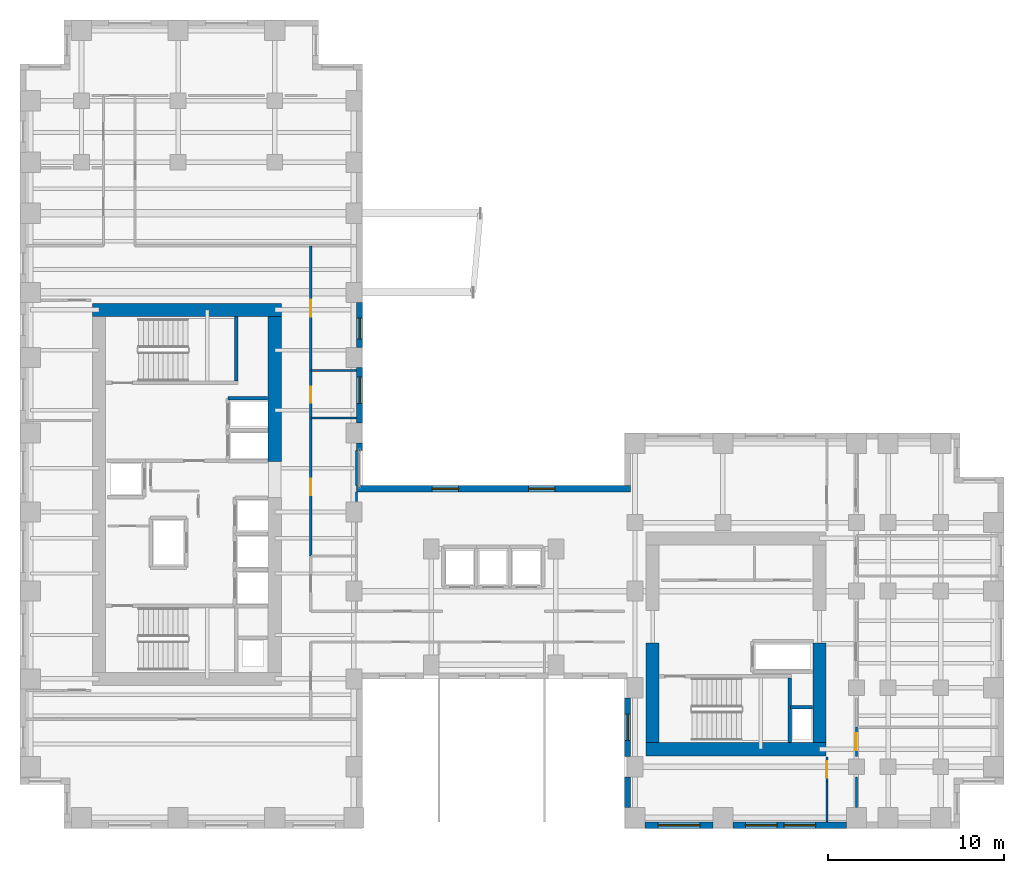
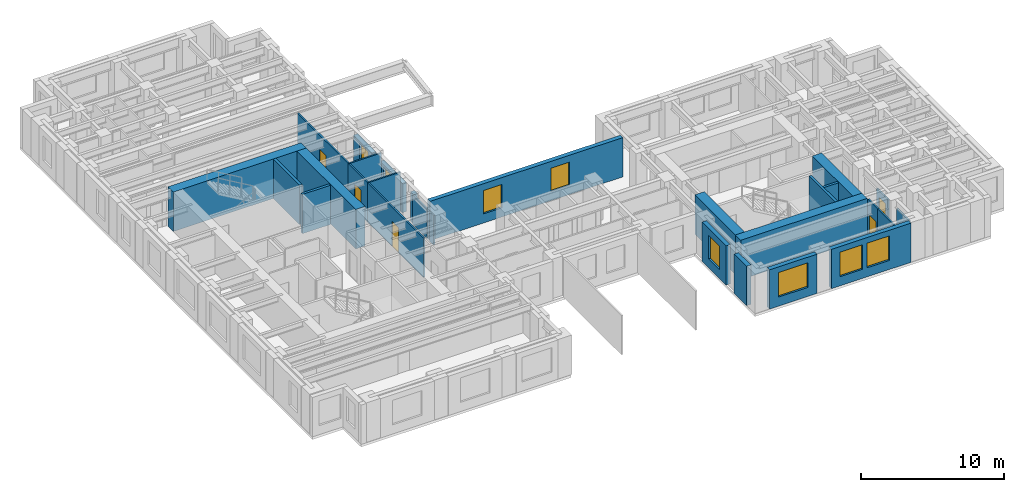
# One storey, part 8 of 13: 28 walls, 8 windows, 5 doors, 13 openings.
"""IFC4 building model written with IfcOpenShell, lengths in metres."""

from ifc_helpers import new_model, si_unit, direction, frame, frame_2d, origin, place, context, subcontext, project, spatial, rectangle, extrude, source, transform, mapped, material, layer, layer_set, type_object, element, fill, save


model = new_model("IFC4")

# Units and contexts
model_context = context("Model", 3, precision=1e-05, world=origin(), true_north=direction((0.0, 1.0)))
body_context = subcontext(model_context, "Body", "Model", "MODEL_VIEW")
ifc_project = project(units=[si_unit("LENGTHUNIT", "METRE"), si_unit("AREAUNIT", "SQUARE_METRE"), si_unit("VOLUMEUNIT", "CUBIC_METRE"), si_unit("PLANEANGLEUNIT", "RADIAN"), si_unit("MASSUNIT", "GRAM", prefix="KILO")], contexts=[model_context])

# Site, building, storey
site_placement = place(None, origin())
site = spatial("IfcSite", under=ifc_project, at=site_placement, CompositionType="ELEMENT")
building_placement = place(site_placement, origin())
building = spatial("IfcBuilding", under=site, at=building_placement, Name="Kharzan Plaza Tower", CompositionType="ELEMENT")
storey_placement = place(building_placement, frame((0.0, 0.0, 109.800048828125)))
storey = spatial("IfcBuildingStorey", under=building, at=storey_placement, Name="L29", CompositionType="ELEMENT", Elevation=109.800048828125)

# Wall, opening, window
ifc_material_1 = material(Name="Concrete C40/50", Category="concrete")
ifc_layer_1 = layer(ifc_material_1, 0.35009765625)
ifc_layer_set_1 = layer_set([ifc_layer_1], Name="Concrete C40/50")
wall_type_1 = type_object("IfcWallType", Name="WL-EXT-MAS-Z2", PredefinedType="SOLIDWALL", material=ifc_layer_set_1)
wall_1_placement = place(storey_placement, frame((19.324951171875, 23.072998046875, 0.0), z_axis=(0.0, 0.0, 1.0), x_axis=(0.0, 1.0, 0.0)))
wall_1 = element("IfcWall", 1, at=wall_1_placement, inside=storey, type_object=wall_type_1, Name="L29 Masonry-Frame Exterior Wall 02", PredefinedType="SOLIDWALL", context=body_context, shape_type="SweptSolid", body=[
    extrude(rectangle(XDim=3.154052734375, YDim=0.35009765625, at=frame_2d((1.5771484375, 0.0))), origin(), (0.0, 0.0, 1.0), 2.51904296875),
])
opening_1_placement = place(wall_1_placement, frame((1.10546875, 0.0, 0.780029296875)))
opening_1 = element("IfcOpeningElement", 2, at=opening_1_placement, cuts=wall_1, Name="Opening W5", PredefinedType="OPENING", context=body_context, shape_type="SweptSolid", body=[
    extrude(rectangle(XDim=1.5, YDim=1.55908203125, at=frame_2d((0.75, 0.779541015625))), frame((0.0, 0.18505859375, 0.0), z_axis=(0.0, -1.0, 0.0), x_axis=(1.0, 0.0, 0.0)), (0.0, 0.0, 1.0), 0.3701171875),
])
ifc_material_2 = material(Name="Low-E Double Glazing", Category="glass")
window_type_1 = type_object("IfcWindowType", Name="WN-SLT-1500x2000", PartitioningType="SINGLE_PANEL", PredefinedType="WINDOW", material=ifc_material_2)
shared_shape_1 = source(origin(), body_context, "Body", "SweptSolid", [
    extrude(rectangle(XDim=1.5, YDim=1.55908203125, at=frame_2d((0.75, 0.779541015625))), frame((0.0, 0.030029296875, 0.0), z_axis=(0.0, -1.0, 0.0), x_axis=(1.0, 0.0, 0.0)), (0.0, 0.0, 1.0), 0.06005859375),
])
window_1_placement = place(opening_1_placement, origin())
window_1 = element("IfcWindow", 3, at=window_1_placement, inside=storey, type_object=window_type_1, Name="L29 Recessed Solar-Control Window 02-1", OverallHeight=1.55908203125, OverallWidth=1.5, PartitioningType="SINGLE_PANEL", PredefinedType="WINDOW", context=body_context, shape_type="MappedRepresentation", body=[
    mapped(shared_shape_1, transform((0.0, 0.0, 0.0), x_axis=(1.0, 0.0, 0.0), y_axis=(0.0, 1.0, 0.0), z_axis=(0.0, 0.0, 1.0))),
])
fill(opening_1, window_1)

wall_2_placement = place(storey_placement, frame((19.324951171875, 27.373046875, 0.0), z_axis=(0.0, 0.0, 1.0), x_axis=(0.0, 1.0, 0.0)))
wall_2 = element("IfcWall", 4, at=wall_2_placement, inside=storey, type_object=wall_type_1, Name="L29 Masonry-Frame Exterior Wall 03", PredefinedType="SOLIDWALL", context=body_context, shape_type="SweptSolid", body=[
    extrude(rectangle(XDim=2.553955078125, YDim=0.35009765625, at=frame_2d((1.27685546875, 0.0))), origin(), (0.0, 0.0, 1.0), 2.51904296875),
])
opening_2_placement = place(wall_2_placement, frame((0.47998046875, 0.0, 0.780029296875)))
opening_2 = element("IfcOpeningElement", 5, at=opening_2_placement, cuts=wall_2, Name="Opening W3", PredefinedType="OPENING", context=body_context, shape_type="SweptSolid", body=[
    extrude(rectangle(XDim=1.199951171875, YDim=1.55908203125, at=frame_2d((0.60009765625, 0.779541015625))), frame((0.0, 0.18505859375, 0.0), z_axis=(0.0, -1.0, 0.0), x_axis=(1.0, 0.0, 0.0)), (0.0, 0.0, 1.0), 0.3701171875),
])
window_type_2 = type_object("IfcWindowType", Name="WN-REC-1200x2100", PartitioningType="SINGLE_PANEL", PredefinedType="WINDOW", material=ifc_material_2)
shared_shape_2 = source(origin(), body_context, "Body", "SweptSolid", [
    extrude(rectangle(XDim=1.199951171875, YDim=1.55908203125, at=frame_2d((0.60009765625, 0.779541015625))), frame((0.0, 0.030029296875, 0.0), z_axis=(0.0, -1.0, 0.0), x_axis=(1.0, 0.0, 0.0)), (0.0, 0.0, 1.0), 0.06005859375),
])
window_2_placement = place(opening_2_placement, origin())
window_2 = element("IfcWindow", 6, at=window_2_placement, inside=storey, type_object=window_type_2, Name="L29 Recessed Solar-Control Window 03-1", OverallHeight=1.55908203125, OverallWidth=1.199951171875, PartitioningType="SINGLE_PANEL", PredefinedType="WINDOW", context=body_context, shape_type="MappedRepresentation", body=[
    mapped(shared_shape_2, transform((0.0, 0.0, 0.0), x_axis=(1.0, 0.0, 0.0), y_axis=(0.0, 1.0, 0.0), z_axis=(0.0, 0.0, 1.0))),
])
fill(opening_2, window_2)

wall_3_placement = place(storey_placement, frame((34.574951171875, 7.427001953125, 0.0), z_axis=(0.0, 0.0, 1.0), x_axis=(0.0, -1.0, 0.0)))
wall_3 = element("IfcWall", 7, at=wall_3_placement, inside=storey, type_object=wall_type_1, Name="L29 Masonry-Frame Exterior Wall 37", PredefinedType="SOLIDWALL", context=body_context, shape_type="SweptSolid", body=[
    extrude(rectangle(XDim=3.35400390625, YDim=0.35009765625, at=frame_2d((1.677001953125, 0.0))), origin(), (0.0, 0.0, 1.0), 3.364990234375),
])
opening_3_placement = place(wall_3_placement, frame((0.927001953125, 0.0, 0.780029296875)))
opening_3 = element("IfcOpeningElement", 8, at=opening_3_placement, cuts=wall_3, Name="Opening W5", PredefinedType="OPENING", context=body_context, shape_type="SweptSolid", body=[
    extrude(rectangle(XDim=1.5, YDim=2.0, at=frame_2d((0.75, 1.0))), frame((0.0, 0.18505859375, 0.0), z_axis=(0.0, -1.0, 0.0), x_axis=(1.0, 0.0, 0.0)), (0.0, 0.0, 1.0), 0.3701171875),
])
shared_shape_3 = source(origin(), body_context, "Body", "SweptSolid", [
    extrude(rectangle(XDim=1.5, YDim=2.0, at=frame_2d((0.75, 1.0))), frame((0.0, 0.030029296875, 0.0), z_axis=(0.0, -1.0, 0.0), x_axis=(1.0, 0.0, 0.0)), (0.0, 0.0, 1.0), 0.06005859375),
])
window_3_placement = place(opening_3_placement, origin())
window_3 = element("IfcWindow", 9, at=window_3_placement, inside=storey, type_object=window_type_1, Name="L29 Recessed Solar-Control Window 37-1", OverallHeight=2.0, OverallWidth=1.5, PartitioningType="SINGLE_PANEL", PredefinedType="WINDOW", context=body_context, shape_type="MappedRepresentation", body=[
    mapped(shared_shape_3, transform((0.0, 0.0, 0.0), x_axis=(1.0, 0.0, 0.0), y_axis=(0.0, 1.0, 0.0), z_axis=(0.0, 0.0, 1.0))),
])
fill(opening_3, window_3)

wall_4_placement = place(storey_placement, frame((35.572998046875, 0.175048828125, 0.0), z_axis=(0.0, 0.0, 1.0), x_axis=(1.0, 0.0, 0.0)))
wall_4 = element("IfcWall", 10, at=wall_4_placement, inside=storey, type_object=wall_type_1, Name="L29 Masonry-Frame Exterior Wall 39", PredefinedType="SOLIDWALL", context=body_context, shape_type="SweptSolid", body=[
    extrude(rectangle(XDim=3.85400390625, YDim=0.35009765625, at=frame_2d((1.927001953125, 0.0))), origin(), (0.0, 0.0, 1.0), 3.364990234375),
])
opening_4_placement = place(wall_4_placement, frame((0.72705078125, 0.0, 0.780029296875)))
opening_4 = element("IfcOpeningElement", 11, at=opening_4_placement, cuts=wall_4, Name="Opening W2", PredefinedType="OPENING", context=body_context, shape_type="SweptSolid", body=[
    extrude(rectangle(XDim=2.39990234375, YDim=2.10009765625, at=frame_2d((1.199951171875, 1.050048828125))), frame((0.0, 0.18505859375, 0.0), z_axis=(0.0, -1.0, 0.0), x_axis=(1.0, 0.0, 0.0)), (0.0, 0.0, 1.0), 0.3701171875),
])
window_type_3 = type_object("IfcWindowType", Name="WN-REC-2400x2100", PartitioningType="SINGLE_PANEL", PredefinedType="WINDOW", material=ifc_material_2)
shared_shape_4 = source(origin(), body_context, "Body", "SweptSolid", [
    extrude(rectangle(XDim=2.39990234375, YDim=2.10009765625, at=frame_2d((1.199951171875, 1.050048828125))), frame((0.0, 0.030029296875, 0.0), z_axis=(0.0, -1.0, 0.0), x_axis=(1.0, 0.0, 0.0)), (0.0, 0.0, 1.0), 0.06005859375),
])
window_4_placement = place(opening_4_placement, origin())
window_4 = element("IfcWindow", 12, at=window_4_placement, inside=storey, type_object=window_type_3, Name="L29 Wide Recessed Solar-Control Window 39-1", OverallHeight=2.10009765625, OverallWidth=2.39990234375, PartitioningType="SINGLE_PANEL", PredefinedType="WINDOW", context=body_context, shape_type="MappedRepresentation", body=[
    mapped(shared_shape_4, transform((0.0, 0.0, 0.0), x_axis=(1.0, 0.0, 0.0), y_axis=(0.0, 1.0, 0.0), z_axis=(0.0, 0.0, 1.0))),
])
fill(opening_4, window_4)

# Wall, openings, windows
wall_5_placement = place(storey_placement, frame((40.572998046875, 0.175048828125, 0.0), z_axis=(0.0, 0.0, 1.0), x_axis=(1.0, 0.0, 0.0)))
wall_5 = element("IfcWall", 13, at=wall_5_placement, inside=storey, type_object=wall_type_1, Name="L29 Masonry-Frame Exterior Wall 40", PredefinedType="SOLIDWALL", context=body_context, shape_type="SweptSolid", body=[
    extrude(rectangle(XDim=6.4541015625, YDim=0.35009765625, at=frame_2d((3.22705078125, 0.0))), origin(), (0.0, 0.0, 1.0), 3.364990234375),
])
opening_5_placement = place(wall_5_placement, frame((0.71240234375, 0.0, 0.780029296875)))
opening_5 = element("IfcOpeningElement", 14, at=opening_5_placement, cuts=wall_5, Name="Opening W1", PredefinedType="OPENING", context=body_context, shape_type="SweptSolid", body=[
    extrude(rectangle(XDim=1.800048828125, YDim=2.10009765625, at=frame_2d((0.89990234375, 1.050048828125))), frame((0.0, 0.18505859375, 0.0), z_axis=(0.0, -1.0, 0.0), x_axis=(1.0, 0.0, 0.0)), (0.0, 0.0, 1.0), 0.3701171875),
])
opening_6_placement = place(wall_5_placement, frame((2.90478515625, 0.0, 0.780029296875)))
opening_6 = element("IfcOpeningElement", 15, at=opening_6_placement, cuts=wall_5, Name="Opening W1", PredefinedType="OPENING", context=body_context, shape_type="SweptSolid", body=[
    extrude(rectangle(XDim=1.800048828125, YDim=2.10009765625, at=frame_2d((0.89990234375, 1.050048828125))), frame((0.0, 0.18505859375, 0.0), z_axis=(0.0, -1.0, 0.0), x_axis=(1.0, 0.0, 0.0)), (0.0, 0.0, 1.0), 0.3701171875),
])
window_type_4 = type_object("IfcWindowType", Name="WN-REC-1800x2100", PartitioningType="SINGLE_PANEL", PredefinedType="WINDOW", material=ifc_material_2)
shared_shape_5 = source(origin(), body_context, "Body", "SweptSolid", [
    extrude(rectangle(XDim=1.800048828125, YDim=2.10009765625, at=frame_2d((0.89990234375, 1.050048828125))), frame((0.0, 0.030029296875, 0.0), z_axis=(0.0, -1.0, 0.0), x_axis=(1.0, 0.0, 0.0)), (0.0, 0.0, 1.0), 0.06005859375),
])
window_5_placement = place(opening_5_placement, origin())
window_5 = element("IfcWindow", 16, at=window_5_placement, inside=storey, type_object=window_type_4, Name="L29 Recessed Solar-Control Window 40-1", OverallHeight=2.10009765625, OverallWidth=1.800048828125, PartitioningType="SINGLE_PANEL", PredefinedType="WINDOW", context=body_context, shape_type="MappedRepresentation", body=[
    mapped(shared_shape_5, transform((0.0, 0.0, 0.0), x_axis=(1.0, 0.0, 0.0), y_axis=(0.0, 1.0, 0.0), z_axis=(0.0, 0.0, 1.0))),
])
fill(opening_5, window_5)
window_6_placement = place(opening_6_placement, origin())
window_6 = element("IfcWindow", 17, at=window_6_placement, inside=storey, type_object=window_type_4, Name="L29 Recessed Solar-Control Window 40-2", OverallHeight=2.10009765625, OverallWidth=1.800048828125, PartitioningType="SINGLE_PANEL", PredefinedType="WINDOW", context=body_context, shape_type="MappedRepresentation", body=[
    mapped(shared_shape_5, transform((0.0, 0.0, 0.0), x_axis=(1.0, 0.0, 0.0), y_axis=(0.0, 1.0, 0.0), z_axis=(0.0, 0.0, 1.0))),
])
fill(opening_6, window_6)

wall_6_placement = place(storey_placement, frame((34.75, 19.324951171875, 0.0), z_axis=(0.0, 0.0, 1.0), x_axis=(-1.0, 0.0, 0.0)))
wall_6 = element("IfcWall", 18, at=wall_6_placement, inside=storey, type_object=wall_type_1, Name="L29 Masonry-Frame Exterior Wall 58", PredefinedType="SOLIDWALL", context=body_context, shape_type="SweptSolid", body=[
    extrude(rectangle(XDim=15.60009765625, YDim=0.35009765625, at=frame_2d((7.800048828125, 0.0))), origin(), (0.0, 0.0, 1.0), 3.364990234375),
])
opening_7_placement = place(wall_6_placement, frame((4.306640625, 0.0, 0.780029296875)))
opening_7 = element("IfcOpeningElement", 19, at=opening_7_placement, cuts=wall_6, Name="Opening W5", PredefinedType="OPENING", context=body_context, shape_type="SweptSolid", body=[
    extrude(rectangle(XDim=1.5, YDim=2.0, at=frame_2d((0.75, 1.0))), frame((0.0, 0.18505859375, 0.0), z_axis=(0.0, -1.0, 0.0), x_axis=(1.0, 0.0, 0.0)), (0.0, 0.0, 1.0), 0.3701171875),
])
opening_8_placement = place(wall_6_placement, frame((9.793212890625, 0.0, 0.780029296875)))
opening_8 = element("IfcOpeningElement", 20, at=opening_8_placement, cuts=wall_6, Name="Opening W5", PredefinedType="OPENING", context=body_context, shape_type="SweptSolid", body=[
    extrude(rectangle(XDim=1.5, YDim=2.0, at=frame_2d((0.75, 1.0))), frame((0.0, 0.18505859375, 0.0), z_axis=(0.0, -1.0, 0.0), x_axis=(1.0, 0.0, 0.0)), (0.0, 0.0, 1.0), 0.3701171875),
])
window_7_placement = place(opening_7_placement, origin())
window_7 = element("IfcWindow", 21, at=window_7_placement, inside=storey, type_object=window_type_1, Name="L29 Recessed Solar-Control Window 58-1", OverallHeight=2.0, OverallWidth=1.5, PartitioningType="SINGLE_PANEL", PredefinedType="WINDOW", context=body_context, shape_type="MappedRepresentation", body=[
    mapped(shared_shape_3, transform((0.0, 0.0, 0.0), x_axis=(1.0, 0.0, 0.0), y_axis=(0.0, 1.0, 0.0), z_axis=(0.0, 0.0, 1.0))),
])
fill(opening_7, window_7)
window_8_placement = place(opening_8_placement, origin())
window_8 = element("IfcWindow", 22, at=window_8_placement, inside=storey, type_object=window_type_1, Name="L29 Recessed Solar-Control Window 58-2", OverallHeight=2.0, OverallWidth=1.5, PartitioningType="SINGLE_PANEL", PredefinedType="WINDOW", context=body_context, shape_type="MappedRepresentation", body=[
    mapped(shared_shape_3, transform((0.0, 0.0, 0.0), x_axis=(1.0, 0.0, 0.0), y_axis=(0.0, 1.0, 0.0), z_axis=(0.0, 0.0, 1.0))),
])
fill(opening_8, window_8)

# Wall, opening, door
ifc_material_3 = material(Name="Fire-Rated Gypsum Board Partition", Category="gypsum")
ifc_layer_2 = layer(ifc_material_3, 0.125)
ifc_layer_set_2 = layer_set([ifc_layer_2], Name="Fire-Rated Gypsum Board Partition")
wall_type_2 = type_object("IfcWallType", Name="WL-INT-PART-125", PredefinedType="PARTITIONING", material=ifc_layer_set_2)
wall_7_placement = place(storey_placement, frame((16.550048828125, 15.5, 0.0), z_axis=(0.0, 0.0, 1.0), x_axis=(0.0, 1.0, 0.0)))
wall_7 = element("IfcWall", 23, at=wall_7_placement, inside=storey, type_object=wall_type_2, Name="L29 Interior Partition SH-AEWN2", PredefinedType="PARTITIONING", context=body_context, shape_type="SweptSolid", body=[
    extrude(rectangle(XDim=7.85009765625, YDim=0.125, at=frame_2d((3.925048828125, 0.0))), origin(), (0.0, 0.0, 1.0), 3.364990234375),
])
opening_9_placement = place(wall_7_placement, frame((3.449951171875, 0.0, 0.0)))
opening_9 = element("IfcOpeningElement", 24, at=opening_9_placement, cuts=wall_7, Name="Opening OD1", PredefinedType="OPENING", context=body_context, shape_type="SweptSolid", body=[
    extrude(rectangle(XDim=0.949951171875, YDim=2.14990234375, at=frame_2d((0.47509765625, 1.074951171875))), frame((0.0, 0.072509765625, 0.0), z_axis=(0.0, -1.0, 0.0), x_axis=(1.0, 0.0, 0.0)), (0.0, 0.0, 1.0), 0.14501953125),
])
ifc_material_4 = material(Name="Acoustic Solid-Core Stained Oak", Category="timber")
door_type_1 = type_object("IfcDoorType", Name="DR-OFF-SINGLE", OperationType="NOTDEFINED", PredefinedType="DOOR", material=ifc_material_4)
shared_shape_6 = source(origin(), body_context, "Body", "SweptSolid", [
    extrude(rectangle(XDim=0.949951171875, YDim=2.14990234375, at=frame_2d((0.47509765625, 1.074951171875))), frame((0.0, 0.02490234375, 0.0), z_axis=(0.0, -1.0, 0.0), x_axis=(1.0, 0.0, 0.0)), (0.0, 0.0, 1.0), 0.050048828125),
])
door_1_placement = place(opening_9_placement, origin())
door_1 = element("IfcDoor", 25, at=door_1_placement, inside=storey, type_object=door_type_1, Name="L29 Slot Studio Door", OperationType="SINGLE_SWING_LEFT", OverallHeight=2.14990234375, OverallWidth=0.949951171875, PredefinedType="DOOR", context=body_context, shape_type="MappedRepresentation", body=[
    mapped(shared_shape_6, transform((0.0, 0.0, 0.0), x_axis=(1.0, 0.0, 0.0), y_axis=(0.0, 1.0, 0.0), z_axis=(0.0, 0.0, 1.0))),
])
fill(opening_9, door_1)

wall_8_placement = place(storey_placement, frame((16.550048828125, 26.050048828125, 0.0), z_axis=(0.0, 0.0, 1.0), x_axis=(0.0, 1.0, 0.0)))
wall_8 = element("IfcWall", 26, at=wall_8_placement, inside=storey, type_object=wall_type_2, Name="L29 Interior Partition SH-AEWN3", PredefinedType="PARTITIONING", context=body_context, shape_type="SweptSolid", body=[
    extrude(rectangle(XDim=7.099853515625, YDim=0.125, at=frame_2d((3.5498046875, 0.0))), origin(), (0.0, 0.0, 1.0), 3.364990234375),
])
opening_10_placement = place(wall_8_placement, frame((3.074951171875, 0.0, 0.0)))
opening_10 = element("IfcOpeningElement", 27, at=opening_10_placement, cuts=wall_8, Name="Opening OD1", PredefinedType="OPENING", context=body_context, shape_type="SweptSolid", body=[
    extrude(rectangle(XDim=0.949951171875, YDim=2.14990234375, at=frame_2d((0.47509765625, 1.074951171875))), frame((0.0, 0.072509765625, 0.0), z_axis=(0.0, -1.0, 0.0), x_axis=(1.0, 0.0, 0.0)), (0.0, 0.0, 1.0), 0.14501953125),
])
door_2_placement = place(opening_10_placement, origin())
door_2 = element("IfcDoor", 28, at=door_2_placement, inside=storey, type_object=door_type_1, Name="L29 Staff Tea Point Door", OperationType="SINGLE_SWING_LEFT", OverallHeight=2.14990234375, OverallWidth=0.949951171875, PredefinedType="DOOR", context=body_context, shape_type="MappedRepresentation", body=[
    mapped(shared_shape_6, transform((0.0, 0.0, 0.0), x_axis=(1.0, 0.0, 0.0), y_axis=(0.0, 1.0, 0.0), z_axis=(0.0, 0.0, 1.0))),
])
fill(opening_10, door_2)

wall_9_placement = place(storey_placement, frame((16.550048828125, 23.35009765625, 0.0), z_axis=(0.0, 0.0, 1.0), x_axis=(0.0, 1.0, 0.0)))
wall_9 = element("IfcWall", 29, at=wall_9_placement, inside=storey, type_object=wall_type_2, Name="L29 Interior Partition SH-AEWW", PredefinedType="PARTITIONING", context=body_context, shape_type="SweptSolid", body=[
    extrude(rectangle(XDim=2.699951171875, YDim=0.125, at=frame_2d((1.35009765625, 0.0))), origin(), (0.0, 0.0, 1.0), 3.364990234375),
])
opening_11_placement = place(wall_9_placement, frame((0.875, 0.0, 0.0)))
opening_11 = element("IfcOpeningElement", 30, at=opening_11_placement, cuts=wall_9, Name="Opening WD1", PredefinedType="OPENING", context=body_context, shape_type="SweptSolid", body=[
    extrude(rectangle(XDim=0.89990234375, YDim=2.14990234375, at=frame_2d((0.449951171875, 1.074951171875))), frame((0.0, 0.072509765625, 0.0), z_axis=(0.0, -1.0, 0.0), x_axis=(1.0, 0.0, 0.0)), (0.0, 0.0, 1.0), 0.14501953125),
])
ifc_material_5 = material(Name="Moisture-Resistant Fire-Rated Laminate", Category="timber")
door_type_2 = type_object("IfcDoorType", Name="DR-WC-900", OperationType="NOTDEFINED", PredefinedType="DOOR", material=ifc_material_5)
shared_shape_7 = source(origin(), body_context, "Body", "SweptSolid", [
    extrude(rectangle(XDim=0.89990234375, YDim=2.14990234375, at=frame_2d((0.449951171875, 1.074951171875))), frame((0.0, 0.02490234375, 0.0), z_axis=(0.0, -1.0, 0.0), x_axis=(1.0, 0.0, 0.0)), (0.0, 0.0, 1.0), 0.050048828125),
])
door_3_placement = place(opening_11_placement, origin())
door_3 = element("IfcDoor", 31, at=door_3_placement, inside=storey, type_object=door_type_2, Name="L29 Wing A Washroom Door", OperationType="SINGLE_SWING_RIGHT", OverallHeight=2.14990234375, OverallWidth=0.89990234375, PredefinedType="DOOR", context=body_context, shape_type="MappedRepresentation", body=[
    mapped(shared_shape_7, transform((0.0, 0.0, 0.0), x_axis=(1.0, 0.0, 0.0), y_axis=(0.0, 1.0, 0.0), z_axis=(0.0, 0.0, 1.0))),
])
fill(opening_11, door_3)

wall_10_placement = place(storey_placement, frame((47.60009765625, 4.090087890625, 0.0), z_axis=(0.0, 0.0, 1.0), x_axis=(0.0, 1.0, 0.0)))
wall_10 = element("IfcWall", 32, at=wall_10_placement, inside=storey, type_object=wall_type_2, Name="L29 Interior Partition SH-B3W0", PredefinedType="PARTITIONING", context=body_context, shape_type="SweptSolid", body=[
    extrude(rectangle(XDim=1.659912109375, YDim=0.125, at=frame_2d((0.830078125, 0.0))), origin(), (0.0, 0.0, 1.0), 2.677001953125),
])
opening_12_placement = place(wall_10_placement, frame((0.35498046875, 0.0, 0.0)))
opening_12 = element("IfcOpeningElement", 33, at=opening_12_placement, cuts=wall_10, Name="Opening OD1", PredefinedType="OPENING", context=body_context, shape_type="SweptSolid", body=[
    extrude(rectangle(XDim=0.949951171875, YDim=2.14990234375, at=frame_2d((0.47509765625, 1.074951171875))), frame((0.0, 0.072509765625, 0.0), z_axis=(0.0, -1.0, 0.0), x_axis=(1.0, 0.0, 0.0)), (0.0, 0.0, 1.0), 0.14501953125),
])
door_4_placement = place(opening_12_placement, origin())
door_4 = element("IfcDoor", 34, at=door_4_placement, inside=storey, type_object=door_type_1, Name="L29 Wing B Office 1 Door", OperationType="SINGLE_SWING_RIGHT", OverallHeight=2.14990234375, OverallWidth=0.949951171875, PredefinedType="DOOR", context=body_context, shape_type="MappedRepresentation", body=[
    mapped(shared_shape_6, transform((0.0, 0.0, 0.0), x_axis=(1.0, 0.0, 0.0), y_axis=(0.0, 1.0, 0.0), z_axis=(0.0, 0.0, 1.0))),
])
fill(opening_12, door_4)

wall_11_placement = place(storey_placement, frame((45.919921875, 2.64990234375, 0.0), z_axis=(0.0, 0.0, 1.0), x_axis=(0.0, 1.0, 0.0)))
wall_11 = element("IfcWall", 35, at=wall_11_placement, inside=storey, type_object=wall_type_2, Name="L29 Interior Partition SH-RBSE", PredefinedType="PARTITIONING", context=body_context, shape_type="SweptSolid", body=[
    extrude(rectangle(XDim=1.400146484375, YDim=0.125, at=frame_2d((0.7001953125, 0.0))), origin(), (0.0, 0.0, 1.0), 3.364990234375),
])
opening_13_placement = place(wall_11_placement, frame((0.22509765625, 0.0, 0.0)))
opening_13 = element("IfcOpeningElement", 36, at=opening_13_placement, cuts=wall_11, Name="Opening OD1", PredefinedType="OPENING", context=body_context, shape_type="SweptSolid", body=[
    extrude(rectangle(XDim=0.949951171875, YDim=2.14990234375, at=frame_2d((0.47509765625, 1.074951171875))), frame((0.0, 0.072509765625, 0.0), z_axis=(0.0, -1.0, 0.0), x_axis=(1.0, 0.0, 0.0)), (0.0, 0.0, 1.0), 0.14501953125),
])
door_5_placement = place(opening_13_placement, origin())
door_5 = element("IfcDoor", 37, at=door_5_placement, inside=storey, type_object=door_type_1, Name="L29 South-East Corner Office Door", OperationType="SINGLE_SWING_LEFT", OverallHeight=2.14990234375, OverallWidth=0.949951171875, PredefinedType="DOOR", context=body_context, shape_type="MappedRepresentation", body=[
    mapped(shared_shape_6, transform((0.0, 0.0, 0.0), x_axis=(1.0, 0.0, 0.0), y_axis=(0.0, 1.0, 0.0), z_axis=(0.0, 0.0, 1.0))),
])
fill(opening_13, door_5)

# Walls
shared_shape_8 = source(origin(), body_context, "Body", "SweptSolid", [
    extrude(rectangle(XDim=2.597900390625, YDim=0.125, at=frame_2d((1.298828125, 0.0))), origin(), (0.0, 0.0, 1.0), 3.364990234375),
])
for number, where, z_axis, x_axis, name in (
    (38, (16.550048828125, 23.35009765625, 0.0), (0.0, 0.0, 1.0), (1.0, 0.0, 0.0), "L29 Interior Partition SH-AEH-233"),
    (39, (16.550048828125, 26.050048828125, 0.0), (0.0, 0.0, 1.0), (1.0, 0.0, 0.0), "L29 Interior Partition SH-AEH-260"),
):
    element("IfcWall", number, at=place(storey_placement, frame(where, z_axis=z_axis, x_axis=x_axis)), inside=storey, type_object=wall_type_2, Name=name, PredefinedType="PARTITIONING", context=body_context, shape_type="MappedRepresentation", body=[
        mapped(shared_shape_8, transform((0.0, 0.0, 0.0), x_axis=(1.0, 0.0, 0.0), y_axis=(0.0, 1.0, 0.0), z_axis=(0.0, 0.0, 1.0))),
    ])
shared_shape_9 = source(origin(), body_context, "Body", "SweptSolid", [
    extrude(rectangle(XDim=2.2978515625, YDim=0.125, at=frame_2d((1.14892578125, 0.0))), origin(), (0.0, 0.0, 1.0), 3.364990234375),
])
wall_12_placement = place(storey_placement, frame((45.919921875, 0.35205078125, 0.0), z_axis=(0.0, 0.0, 1.0), x_axis=(0.0, 1.0, 0.0)))
element("IfcWall", 40, at=wall_12_placement, inside=storey, type_object=wall_type_2, Name="L29 Interior Partition SH-RBSE0", PredefinedType="PARTITIONING", context=body_context, shape_type="MappedRepresentation", body=[
    mapped(shared_shape_9, transform((0.0, 0.0, 0.0), x_axis=(1.0, 0.0, 0.0), y_axis=(0.0, 1.0, 0.0), z_axis=(0.0, 0.0, 1.0))),
])
shared_shape_10 = source(origin(), body_context, "Body", "SweptSolid", [
    extrude(rectangle(XDim=1.75390625, YDim=0.35009765625, at=frame_2d((0.876953125, 0.0))), origin(), (0.0, 0.0, 1.0), 3.364990234375),
])
wall_13_placement = place(storey_placement, frame((34.574951171875, 2.927001953125, 0.0), z_axis=(0.0, 0.0, 1.0), x_axis=(0.0, -1.0, 0.0)))
element("IfcWall", 41, at=wall_13_placement, inside=storey, type_object=wall_type_1, Name="L29 Masonry-Frame Exterior Wall 38", PredefinedType="SOLIDWALL", context=body_context, shape_type="MappedRepresentation", body=[
    mapped(shared_shape_10, transform((0.0, 0.0, 0.0), x_axis=(1.0, 0.0, 0.0), y_axis=(0.0, 1.0, 0.0), z_axis=(0.0, 0.0, 1.0))),
])
shared_shape_11 = source(origin(), body_context, "Body", "SweptSolid", [
    extrude(rectangle(XDim=1.719970703125, YDim=0.125, at=frame_2d((0.85986328125, 0.0))), origin(), (0.0, 0.0, 1.0), 2.677001953125),
])
wall_14_placement = place(storey_placement, frame((47.60009765625, 1.18994140625, 0.0), z_axis=(0.0, 0.0, 1.0), x_axis=(0.0, 1.0, 0.0)))
element("IfcWall", 42, at=wall_14_placement, inside=storey, type_object=wall_type_2, Name="L29 Interior Partition SH-B3W0S", PredefinedType="PARTITIONING", context=body_context, shape_type="MappedRepresentation", body=[
    mapped(shared_shape_11, transform((0.0, 0.0, 0.0), x_axis=(1.0, 0.0, 0.0), y_axis=(0.0, 1.0, 0.0), z_axis=(0.0, 0.0, 1.0))),
])
ifc_layer_3 = layer(ifc_material_1, 0.199951171875)
ifc_layer_set_3 = layer_set([ifc_layer_3], Name="Concrete C40/50")
wall_type_3 = type_object("IfcWallType", Name="WL-INT-SHAFT-200", PredefinedType="PARTITIONING", material=ifc_layer_set_3)
shared_shape_12 = source(origin(), body_context, "Body", "SweptSolid", [
    extrude(rectangle(XDim=1.244873046875, YDim=0.199951171875, at=frame_2d((0.62255859375, 0.0))), origin(), (0.0, 0.0, 1.0), 3.364990234375),
])
wall_15_placement = place(storey_placement, frame((43.85009765625, 6.89990234375, 0.0), z_axis=(0.0, 0.0, 1.0), x_axis=(1.0, 0.0, 0.0)))
element("IfcWall", 43, at=wall_15_placement, inside=storey, type_object=wall_type_3, Name="L29 Interior Partition CB-RSRB-N", PredefinedType="PARTITIONING", context=body_context, shape_type="MappedRepresentation", body=[
    mapped(shared_shape_12, transform((0.0, 0.0, 0.0), x_axis=(1.0, 0.0, 0.0), y_axis=(0.0, 1.0, 0.0), z_axis=(0.0, 0.0, 1.0))),
])
shared_shape_13 = source(origin(), body_context, "Body", "SweptSolid", [
    extrude(rectangle(XDim=2.264892578125, YDim=0.199951171875, at=frame_2d((1.13232421875, 0.0))), origin(), (0.0, 0.0, 1.0), 3.364990234375),
])
wall_16_placement = place(storey_placement, frame((11.830078125, 24.4599609375, 0.0), z_axis=(0.0, 0.0, 1.0), x_axis=(1.0, 0.0, 0.0)))
element("IfcWall", 44, at=wall_16_placement, inside=storey, type_object=wall_type_3, Name="L29 Interior Partition SHF-FFL-2-N", PredefinedType="PARTITIONING", context=body_context, shape_type="MappedRepresentation", body=[
    mapped(shared_shape_13, transform((0.0, 0.0, 0.0), x_axis=(1.0, 0.0, 0.0), y_axis=(0.0, 1.0, 0.0), z_axis=(0.0, 0.0, 1.0))),
])
ifc_material_6 = material(Name="Concrete C60/75", Category="concrete")
ifc_layer_4 = layer(ifc_material_6, 0.75)
ifc_layer_set_4 = layer_set([ifc_layer_4], Name="Concrete C60/75")
wall_type_4 = type_object("IfcWallType", Name="WL-CORE-750", PredefinedType="SHEAR", material=ifc_layer_set_4)
shared_shape_14 = source(origin(), body_context, "Body", "SweptSolid", [
    extrude(rectangle(XDim=8.2451171875, YDim=0.75, at=frame_2d((4.12255859375, 0.0))), origin(), (0.0, 0.0, 1.0), 3.3798828125),
])
wall_17_placement = place(storey_placement, frame((14.5, 20.8798828125, 0.0), z_axis=(0.0, 0.0, 1.0), x_axis=(0.0, 1.0, 0.0)))
element("IfcWall", 45, at=wall_17_placement, inside=storey, type_object=wall_type_4, Name="L29 CORE-A east shear pier 2", PredefinedType="SHEAR", context=body_context, shape_type="MappedRepresentation", body=[
    mapped(shared_shape_14, transform((0.0, 0.0, 0.0), x_axis=(1.0, 0.0, 0.0), y_axis=(0.0, 1.0, 0.0), z_axis=(0.0, 0.0, 1.0))),
])
shared_shape_15 = source(origin(), body_context, "Body", "SweptSolid", [
    extrude(rectangle(XDim=10.75, YDim=0.75, at=frame_2d((5.375, 0.0))), origin(), (0.0, 0.0, 1.0), 3.3798828125),
])
wall_18_placement = place(storey_placement, frame((4.125, 29.5, 0.0), z_axis=(0.0, 0.0, 1.0), x_axis=(1.0, 0.0, 0.0)))
element("IfcWall", 46, at=wall_18_placement, inside=storey, type_object=wall_type_4, Name="L29 CORE-A north RC shear wall", PredefinedType="SHEAR", context=body_context, shape_type="MappedRepresentation", body=[
    mapped(shared_shape_15, transform((0.0, 0.0, 0.0), x_axis=(1.0, 0.0, 0.0), y_axis=(0.0, 1.0, 0.0), z_axis=(0.0, 0.0, 1.0))),
])
shared_shape_16 = source(origin(), body_context, "Body", "SweptSolid", [
    extrude(rectangle(XDim=5.675048828125, YDim=0.75, at=frame_2d((2.83740234375, 0.0))), origin(), (0.0, 0.0, 1.0), 3.3798828125),
])
for number, where, z_axis, x_axis, name in (
    (47, (45.5, 4.875, 0.0), (0.0, 0.0, 1.0), (0.0, 1.0, 0.0), "L29 CORE-B east shear pier 1"),
    (48, (36.0, 4.875, 0.0), (0.0, 0.0, 1.0), (0.0, 1.0, 0.0), "L29 CORE-B west shear pier 1"),
):
    element("IfcWall", number, at=place(storey_placement, frame(where, z_axis=z_axis, x_axis=x_axis)), inside=storey, type_object=wall_type_4, Name=name, PredefinedType="SHEAR", context=body_context, shape_type="MappedRepresentation", body=[
        mapped(shared_shape_16, transform((0.0, 0.0, 0.0), x_axis=(1.0, 0.0, 0.0), y_axis=(0.0, 1.0, 0.0), z_axis=(0.0, 0.0, 1.0))),
    ])
shared_shape_17 = source(origin(), body_context, "Body", "SweptSolid", [
    extrude(rectangle(XDim=10.25, YDim=0.75, at=frame_2d((5.125, 0.0))), origin(), (0.0, 0.0, 1.0), 3.3798828125),
])
wall_19_placement = place(storey_placement, frame((35.625, 4.5, 0.0), z_axis=(0.0, 0.0, 1.0), x_axis=(1.0, 0.0, 0.0)))
element("IfcWall", 49, at=wall_19_placement, inside=storey, type_object=wall_type_4, Name="L29 CORE-B south RC shear wall", PredefinedType="SHEAR", context=body_context, shape_type="MappedRepresentation", body=[
    mapped(shared_shape_17, transform((0.0, 0.0, 0.0), x_axis=(1.0, 0.0, 0.0), y_axis=(0.0, 1.0, 0.0), z_axis=(0.0, 0.0, 1.0))),
])
ifc_material_7 = material(Name="Concrete C50/60", Category="concrete")
ifc_layer_5 = layer(ifc_material_7, 0.199951171875)
ifc_layer_set_5 = layer_set([ifc_layer_5], Name="Concrete C50/60")
wall_type_5 = type_object("IfcWallType", Name="WL-SHAFT-RC200", PredefinedType="SHEAR", material=ifc_layer_set_5)
shared_shape_18 = source(origin(), body_context, "Body", "SweptSolid", [
    extrude(rectangle(XDim=3.677978515625, YDim=0.199951171875, at=frame_2d((1.8388671875, 0.0))), origin(), (0.0, 0.0, 1.0), 3.3798828125),
])
for number, where, z_axis, x_axis, name in (
    (50, (12.304931640625, 25.445068359375, 0.0), (0.0, 0.0, 1.0), (0.0, 1.0, 0.0), "L29 Stair ST-2 East RC Shaft Wall"),
    (51, (43.804931640625, 4.876953125, 0.0), (0.0, 0.0, 1.0), (0.0, 1.0, 0.0), "L29 Stair ST-3 East RC Shaft Wall"),
):
    element("IfcWall", number, at=place(storey_placement, frame(where, z_axis=z_axis, x_axis=x_axis)), inside=storey, type_object=wall_type_5, Name=name, PredefinedType="SHEAR", context=body_context, shape_type="MappedRepresentation", body=[
        mapped(shared_shape_18, transform((0.0, 0.0, 0.0), x_axis=(1.0, 0.0, 0.0), y_axis=(0.0, 1.0, 0.0), z_axis=(0.0, 0.0, 1.0))),
    ])
shared_shape_19 = source(origin(), body_context, "Body", "SweptSolid", [
    extrude(rectangle(XDim=0.557861328125, YDim=0.125, at=frame_2d((0.27880859375, 0.0))), origin(), (0.0, 0.0, 1.0), 2.51904296875),
])
wall_20_placement = place(storey_placement, frame((19.14990234375, 18.590087890625, 0.0), z_axis=(0.0, 0.0, 1.0), x_axis=(0.0, 1.0, 0.0)))
element("IfcWall", 52, at=wall_20_placement, inside=storey, type_object=wall_type_2, Name="L29 Interior Partition SH-AEN-DIV-S3", PredefinedType="PARTITIONING", context=body_context, shape_type="MappedRepresentation", body=[
    mapped(shared_shape_19, transform((0.0, 0.0, 0.0), x_axis=(1.0, 0.0, 0.0), y_axis=(0.0, 1.0, 0.0), z_axis=(0.0, 0.0, 1.0))),
])
shared_shape_20 = source(origin(), body_context, "Body", "SweptSolid", [
    extrude(rectangle(XDim=0.427001953125, YDim=0.35009765625, at=frame_2d((0.21337890625, 0.0))), origin(), (0.0, 0.0, 1.0), 2.51904296875),
])
wall_21_placement = place(storey_placement, frame((19.324951171875, 21.5, 0.0), z_axis=(0.0, 0.0, 1.0), x_axis=(0.0, 1.0, 0.0)))
element("IfcWall", 53, at=wall_21_placement, inside=storey, type_object=wall_type_1, Name="L29 Masonry-Frame Exterior Wall 01", PredefinedType="SOLIDWALL", context=body_context, shape_type="MappedRepresentation", body=[
    mapped(shared_shape_20, transform((0.0, 0.0, 0.0), x_axis=(1.0, 0.0, 0.0), y_axis=(0.0, 1.0, 0.0), z_axis=(0.0, 0.0, 1.0))),
])
shared_shape_21 = source(origin(), body_context, "Body", "SweptSolid", [
    extrude(rectangle(XDim=1.998046875, YDim=0.125, at=frame_2d((0.9990234375, 0.0))), origin(), (0.0, 0.0, 1.0), 2.51904296875),
])
wall_22_placement = place(storey_placement, frame((19.14990234375, 19.501953125, 0.0), z_axis=(0.0, 0.0, 1.0), x_axis=(0.0, 1.0, 0.0)))
element("IfcWall", 54, at=wall_22_placement, inside=storey, type_object=wall_type_2, Name="L29 Interior Partition SH-AEN-DIV-S4", PredefinedType="PARTITIONING", context=body_context, shape_type="MappedRepresentation", body=[
    mapped(shared_shape_21, transform((0.0, 0.0, 0.0), x_axis=(1.0, 0.0, 0.0), y_axis=(0.0, 1.0, 0.0), z_axis=(0.0, 0.0, 1.0))),
])

save(model, "model.ifc")
